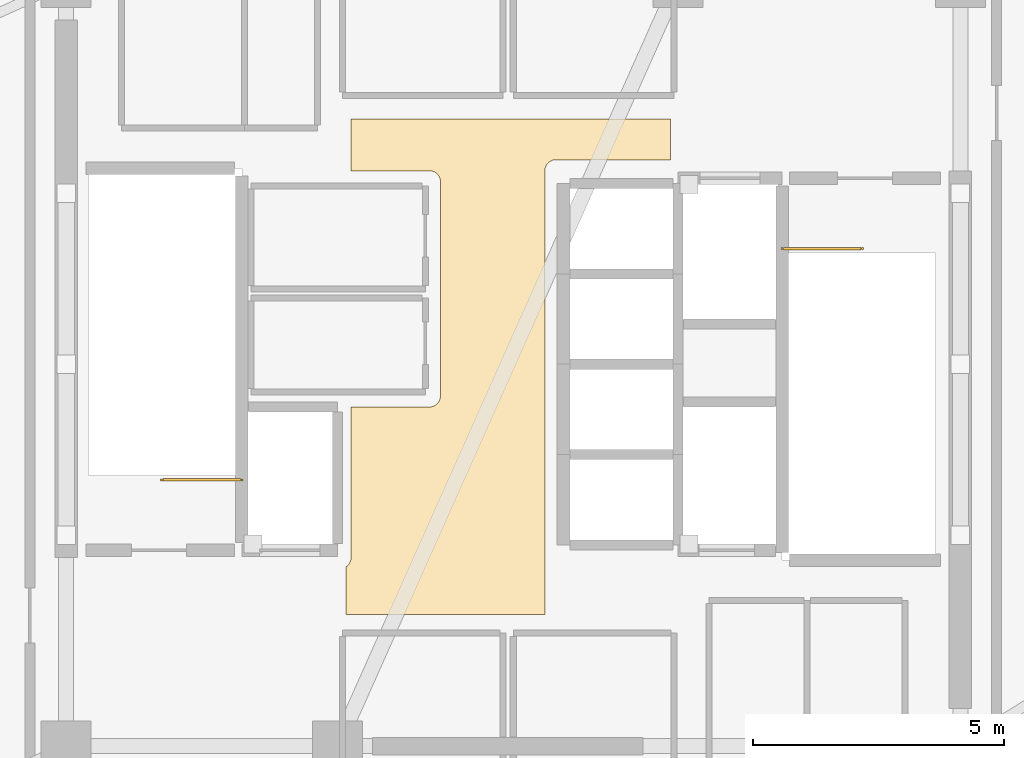
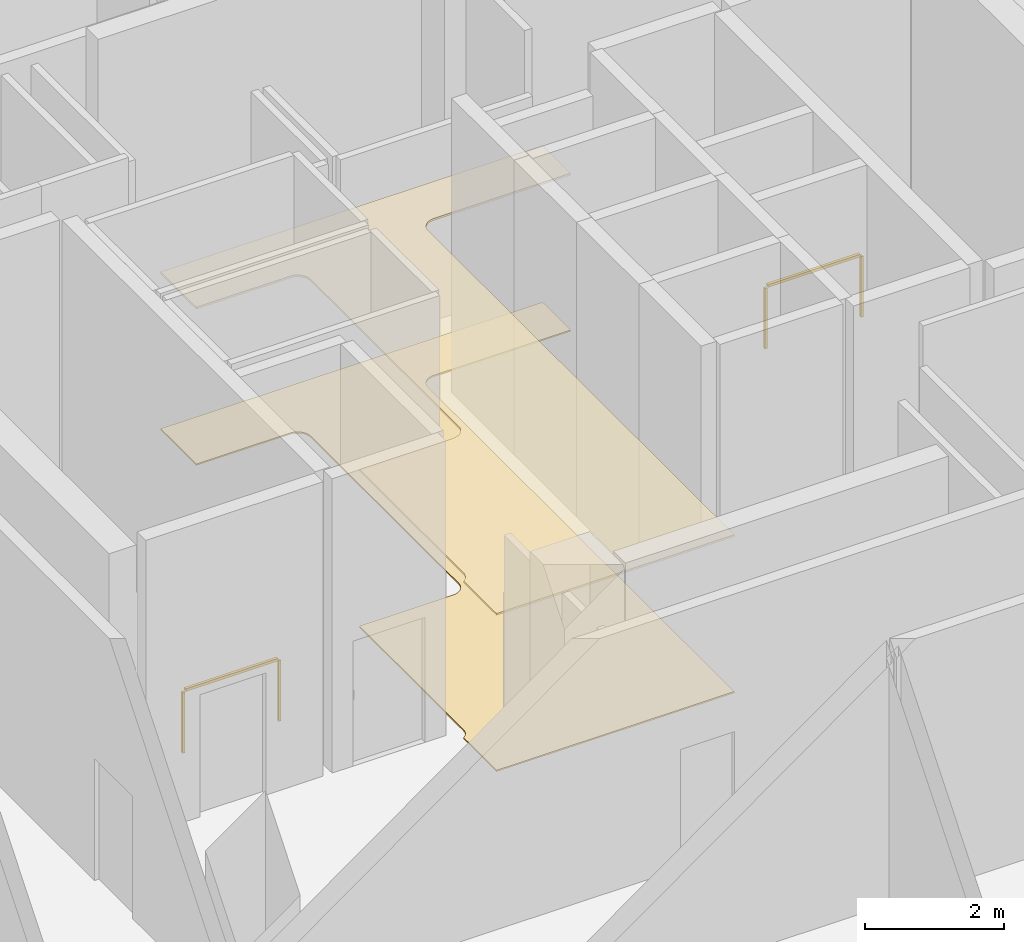
# One storey, part 14 of 14: 2 coverings, 2 railings.
"""IFC4 building model written with IfcOpenShell, lengths in metres."""

from ifc_helpers import new_model, si_unit, direction, frame, origin, origin_2d, place, context, subcontext, project, spatial, polyline, rectangle, outline, extrude, material, layer, layer_set, type_object, element, save


model = new_model("IFC4")

# Units and contexts
model_context = context("Model", 3, precision=1e-05, world=origin(), true_north=direction((0.0, 1.0)))
body_context = subcontext(model_context, "Body", "Model", "MODEL_VIEW")
ifc_project = project(units=[si_unit("LENGTHUNIT", "METRE"), si_unit("AREAUNIT", "SQUARE_METRE"), si_unit("VOLUMEUNIT", "CUBIC_METRE"), si_unit("PLANEANGLEUNIT", "RADIAN"), si_unit("MASSUNIT", "GRAM", prefix="KILO")], contexts=[model_context])

# Site, building, storey
site_placement = place(None, origin())
site = spatial("IfcSite", under=ifc_project, at=site_placement, CompositionType="ELEMENT")
building_placement = place(site_placement, origin())
building = spatial("IfcBuilding", under=site, at=building_placement, Name="Tharavind Bronze Gate", CompositionType="ELEMENT")
storey_placement = place(building_placement, frame((0.0, 0.0, 310.85009765625)))
storey = spatial("IfcBuildingStorey", under=building, at=storey_placement, Name="L80", CompositionType="ELEMENT", Elevation=310.85009765625)

# Coverings
ifc_material_1 = material(Name="Perforated Bronze Acoustic Panel", Category="bronze")
ifc_layer_1 = layer(ifc_material_1, 0.044921875)
ifc_layer_set_1 = layer_set([ifc_layer_1], Name="Perforated Bronze Acoustic Panel")
covering_type_1 = type_object("IfcCoveringType", Name="ACOUSTIC BRONZE BAFFLE CEILING", PredefinedType="CEILING", material=ifc_layer_set_1)
covering_1_placement = place(storey_placement, frame((0.0, 0.0, 2.75)))
element("IfcCovering", 1, at=covering_1_placement, inside=storey, type_object=covering_type_1, Name="L80-C-LL suspended ceiling", PredefinedType="CEILING", context=body_context, shape_type="SweptSolid", body=[
    extrude(outline(polyline([(-3.330078125, -4.97998046875), (0.6298828125, -4.97998046875), (0.6298828125, 3.85009765625), (0.631103515625, 3.87158203125), (0.63427734375, 3.892822265625), (0.639404296875, 3.913818359375), (0.646728515625, 3.93408203125), (0.656005859375, 3.95361328125), (0.6669921875, 3.97216796875), (0.679931640625, 3.989501953125), (0.6943359375, 4.005615234375), (0.71044921875, 4.02001953125), (0.727783203125, 4.032958984375), (0.746337890625, 4.0439453125), (0.765869140625, 4.05322265625), (0.7861328125, 4.060546875), (0.80712890625, 4.06591796875), (0.828369140625, 4.06884765625), (0.85009765625, 4.070068359375), (3.1298828125, 4.070068359375), (3.1298828125, 4.8798828125), (-3.22998046875, 4.8798828125), (-3.22998046875, 3.85009765625), (-1.669921875, 3.85009765625), (-1.6484375, 3.848876953125), (-1.627197265625, 3.845703125), (-1.606201171875, 3.840576171875), (-1.585693359375, 3.833251953125), (-1.56640625, 3.823974609375), (-1.5478515625, 3.81298828125), (-1.530517578125, 3.800048828125), (-1.514404296875, 3.78564453125), (-1.5, 3.76953125), (-1.487060546875, 3.752197265625), (-1.47607421875, 3.733642578125), (-1.466796875, 3.714111328125), (-1.45947265625, 3.69384765625), (-1.4541015625, 3.6728515625), (-1.451171875, 3.651611328125), (-1.449951171875, 3.6298828125), (-1.449951171875, 1.419921875), (-1.450439453125, 1.409912109375), (-1.449951171875, 1.39990234375), (-1.449951171875, -0.6298828125), (-1.451171875, -0.651611328125), (-1.4541015625, -0.6728515625), (-1.45947265625, -0.69384765625), (-1.466796875, -0.714111328125), (-1.47607421875, -0.733642578125), (-1.487060546875, -0.752197265625), (-1.5, -0.76953125), (-1.514404296875, -0.78564453125), (-1.530517578125, -0.800048828125), (-1.5478515625, -0.81298828125), (-1.56640625, -0.823974609375), (-1.585693359375, -0.833251953125), (-1.606201171875, -0.840576171875), (-1.627197265625, -0.845703125), (-1.6484375, -0.848876953125), (-1.669921875, -0.85009765625), (-3.22998046875, -0.85009765625), (-3.22998046875, -3.85009765625), (-3.231201171875, -3.87158203125), (-3.234130859375, -3.892822265625), (-3.239501953125, -3.913818359375), (-3.24658203125, -3.93408203125), (-3.256103515625, -3.95361328125), (-3.26708984375, -3.97216796875), (-3.27978515625, -3.989501953125), (-3.29443359375, -4.005615234375), (-3.310302734375, -4.02001953125), (-3.327880859375, -4.032958984375), (-3.330078125, -4.0341796875), (-3.330078125, -4.97998046875)])), origin(), (0.0, 0.0, 1.0), 0.034912109375),
])
ifc_material_2 = material(Name="Honed Travertine Limestone", Category="masonry")
ifc_layer_2 = layer(ifc_material_2, 0.030029296875)
ifc_layer_set_2 = layer_set([ifc_layer_2], Name="Honed Travertine Limestone")
covering_type_2 = type_object("IfcCoveringType", Name="HONED LIMESTONE FLOORING", PredefinedType="FLOORING", material=ifc_layer_set_2)
covering_2_placement = place(storey_placement, origin())
element("IfcCovering", 2, at=covering_2_placement, inside=storey, type_object=covering_type_2, Name="L80-C-LL floor finish", PredefinedType="FLOORING", context=body_context, shape_type="SweptSolid", body=[
    extrude(outline(polyline([(-3.330078125, -4.97998046875), (0.6298828125, -4.97998046875), (0.6298828125, 3.85009765625), (0.631103515625, 3.87158203125), (0.63427734375, 3.892822265625), (0.639404296875, 3.913818359375), (0.646728515625, 3.93408203125), (0.656005859375, 3.95361328125), (0.6669921875, 3.97216796875), (0.679931640625, 3.989501953125), (0.6943359375, 4.005615234375), (0.71044921875, 4.02001953125), (0.727783203125, 4.032958984375), (0.746337890625, 4.0439453125), (0.765869140625, 4.05322265625), (0.7861328125, 4.060546875), (0.80712890625, 4.06591796875), (0.828369140625, 4.06884765625), (0.85009765625, 4.070068359375), (3.1298828125, 4.070068359375), (3.1298828125, 4.8798828125), (-3.22998046875, 4.8798828125), (-3.22998046875, 3.85009765625), (-1.669921875, 3.85009765625), (-1.6484375, 3.848876953125), (-1.627197265625, 3.845703125), (-1.606201171875, 3.840576171875), (-1.585693359375, 3.833251953125), (-1.56640625, 3.823974609375), (-1.5478515625, 3.81298828125), (-1.530517578125, 3.800048828125), (-1.514404296875, 3.78564453125), (-1.5, 3.76953125), (-1.487060546875, 3.752197265625), (-1.47607421875, 3.733642578125), (-1.466796875, 3.714111328125), (-1.45947265625, 3.69384765625), (-1.4541015625, 3.6728515625), (-1.451171875, 3.651611328125), (-1.449951171875, 3.6298828125), (-1.449951171875, 1.419921875), (-1.450439453125, 1.409912109375), (-1.449951171875, 1.39990234375), (-1.449951171875, -0.6298828125), (-1.451171875, -0.651611328125), (-1.4541015625, -0.6728515625), (-1.45947265625, -0.69384765625), (-1.466796875, -0.714111328125), (-1.47607421875, -0.733642578125), (-1.487060546875, -0.752197265625), (-1.5, -0.76953125), (-1.514404296875, -0.78564453125), (-1.530517578125, -0.800048828125), (-1.5478515625, -0.81298828125), (-1.56640625, -0.823974609375), (-1.585693359375, -0.833251953125), (-1.606201171875, -0.840576171875), (-1.627197265625, -0.845703125), (-1.6484375, -0.848876953125), (-1.669921875, -0.85009765625), (-3.22998046875, -0.85009765625), (-3.22998046875, -3.85009765625), (-3.231201171875, -3.87158203125), (-3.234130859375, -3.892822265625), (-3.239501953125, -3.913818359375), (-3.24658203125, -3.93408203125), (-3.256103515625, -3.95361328125), (-3.26708984375, -3.97216796875), (-3.27978515625, -3.989501953125), (-3.29443359375, -4.005615234375), (-3.310302734375, -4.02001953125), (-3.327880859375, -4.032958984375), (-3.330078125, -4.0341796875), (-3.330078125, -4.97998046875)])), origin(), (0.0, 0.0, 1.0), 0.02490234375),
])

# Railings
ifc_material_3 = material(Name="Brushed Bronze Alloy", Category="metal")
railing_type = type_object("IfcRailingType", Name="STAIR WELL GUARD RAILING 1120", PredefinedType="GUARDRAIL", material=ifc_material_3)
railing_1_placement = place(storey_placement, frame((-5.39990234375, -2.300048828125, 0.0)))
element("IfcRailing", 3, at=railing_1_placement, inside=storey, type_object=railing_type, Name="L80 ST1 top well guard 1", PredefinedType="GUARDRAIL", context=body_context, shape_type="SweptSolid", body=[
    extrude(rectangle(XDim=0.048095703125, YDim=0.048095703125, at=origin_2d()), frame((-0.031982421875, 0.0, 1.09619140625), z_axis=(-1.0, 0.0, 0.0), x_axis=(0.0, -1.0, 0.0)), (0.0, 0.0, 1.0), 1.5361328125),
    extrude(rectangle(XDim=0.0400390625, YDim=0.0400390625, at=origin_2d()), origin(), (0.0, 0.0, 1.0), 1.068115234375),
    extrude(rectangle(XDim=0.0400390625, YDim=0.0400390625, at=origin_2d()), frame((-1.60009765625, 0.0, 0.0)), (0.0, 0.0, 1.0), 1.068115234375),
])
railing_2_placement = place(storey_placement, frame((5.35009765625, 2.300048828125, 0.0)))
element("IfcRailing", 4, at=railing_2_placement, inside=storey, type_object=railing_type, Name="L80 ST2 top well guard 1", PredefinedType="GUARDRAIL", context=body_context, shape_type="SweptSolid", body=[
    extrude(rectangle(XDim=0.048095703125, YDim=0.048095703125, at=origin_2d()), frame((0.031982421875, 0.0, 1.09619140625), z_axis=(1.0, 0.0, 0.0), x_axis=(0.0, 1.0, 0.0)), (0.0, 0.0, 1.0), 1.535888671875),
    extrude(rectangle(XDim=0.0400390625, YDim=0.0400390625, at=origin_2d()), origin(), (0.0, 0.0, 1.0), 1.068115234375),
    extrude(rectangle(XDim=0.0400390625, YDim=0.0400390625, at=origin_2d()), frame((1.599853515625, 0.0, 0.0)), (0.0, 0.0, 1.0), 1.068115234375),
])

save(model, "model.ifc")
